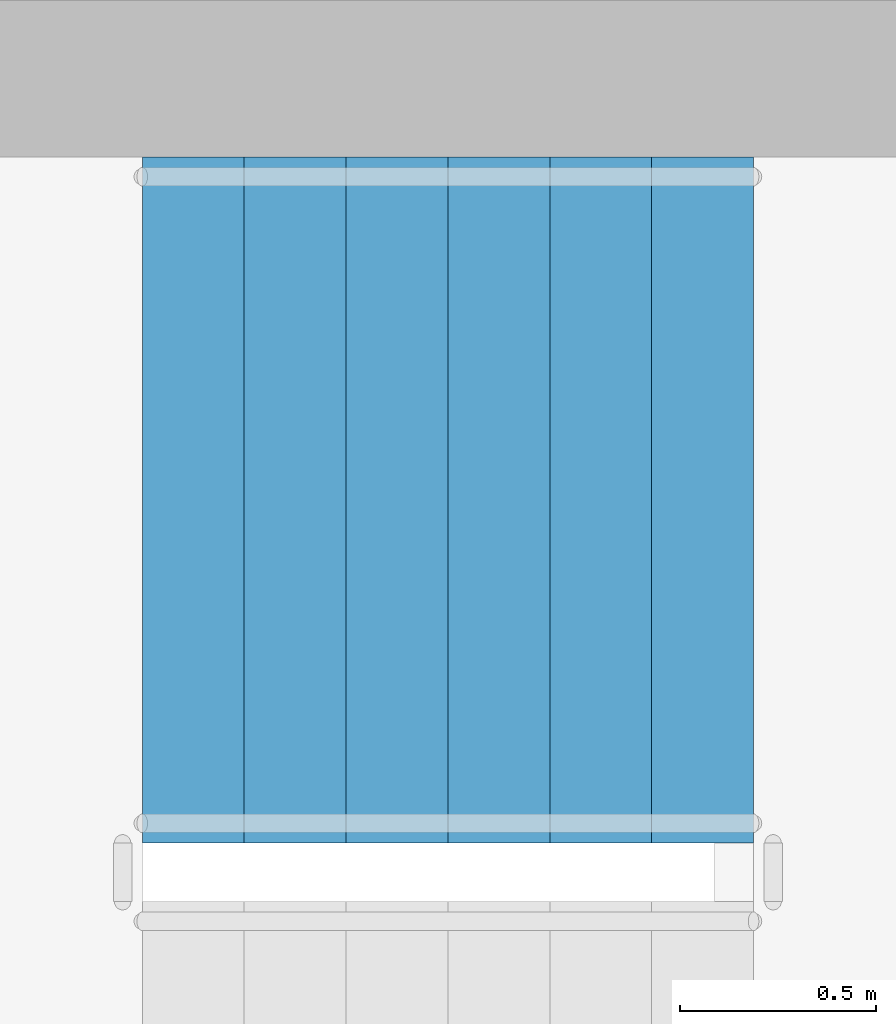
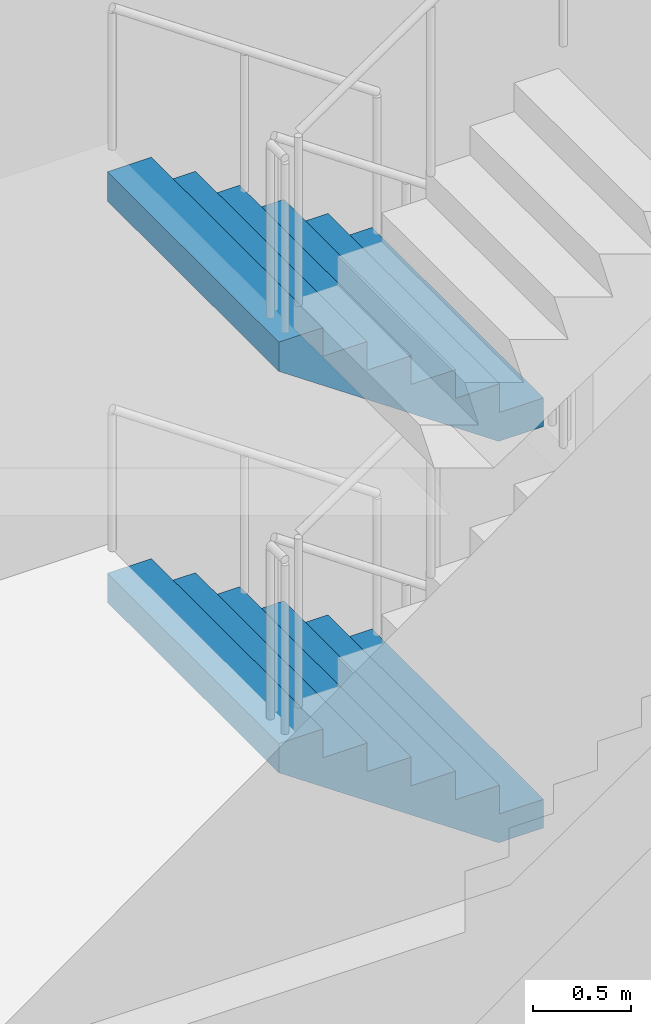
# One storey, part 31 of 59: 2 stair flights, 1 element without a shape of its own.
"""IFC4 building model written with IfcOpenShell, lengths in metres."""

from ifc_helpers import new_model, si_unit, direction, frame, origin, place, context, subcontext, project, spatial, faceted_brep, material, type_object, element, aggregate, save


model = new_model("IFC4")

# Units and contexts
model_context = context("Model", 3, precision=1e-05, world=origin(), true_north=direction((0.0, 1.0)))
body_context = subcontext(model_context, "Body", "Model", "MODEL_VIEW")
ifc_project = project(units=[si_unit("LENGTHUNIT", "METRE"), si_unit("AREAUNIT", "SQUARE_METRE"), si_unit("VOLUMEUNIT", "CUBIC_METRE"), si_unit("PLANEANGLEUNIT", "RADIAN"), si_unit("MASSUNIT", "GRAM", prefix="KILO")], contexts=[model_context])

# Site, building, storey
site_placement = place(None, origin())
site = spatial("IfcSite", under=ifc_project, at=site_placement, CompositionType="ELEMENT")
building_placement = place(site_placement, origin())
building = spatial("IfcBuilding", under=site, at=building_placement, Name="Ipe Terrace Towers", CompositionType="ELEMENT")
storey_placement = place(building_placement, frame((0.0, 0.0, 6.0)))
storey = spatial("IfcBuildingStorey", under=building, at=storey_placement, Name="L01", CompositionType="ELEMENT", Elevation=6.0)

# Stair, stair flights
ifc_material_1 = material(Name="Concrete C30/37", Category="concrete")
stair_type = type_object("IfcStairType", Name="Protected exit stair", PredefinedType="HALF_TURN_STAIR", material=ifc_material_1)
stair_placement = place(storey_placement, origin())
stair = element("IfcStair", 1, at=stair_placement, inside=storey, type_object=stair_type, Name="L01 Exit stair T1-C2", PredefinedType="HALF_TURN_STAIR")
ifc_material_2 = material(Name="Concrete C30/37", Category="concrete")
stair_flight_type = type_object("IfcStairFlightType", Name="Exit stair flight 1750", PredefinedType="STRAIGHT", material=ifc_material_2)
stair_flight_1_placement = place(storey_placement, frame((-45.699951171875, -2.77490234375, 0.0), z_axis=(0.0, 0.0, 1.0), x_axis=(-1.0, 0.0, 0.0)))
stair_flight_1 = element("IfcStairFlight", 2, at=stair_flight_1_placement, type_object=stair_flight_type, Name="T1-ST2 flight 1", NumberOfRisers=7, NumberOfTreads=6, PredefinedType="STRAIGHT", RiserHeight=0.178571429, TreadLength=0.26, context=body_context, shape_type="Brep", body=[
    faceted_brep([(0.264892578125, -0.875, 0.0), (1.56005859375, -0.875, 0.8896484375), (1.56005859375, -0.875, 1.071533203125), (1.300048828125, -0.875, 1.071533203125), (1.300048828125, -0.875, 0.892822265625), (1.0400390625, -0.875, 0.892822265625), (1.0400390625, -0.875, 0.71435546875), (0.780029296875, -0.875, 0.71435546875), (0.780029296875, -0.875, 0.53564453125), (0.52001953125, -0.875, 0.53564453125), (0.52001953125, -0.875, 0.357177734375), (0.260009765625, -0.875, 0.357177734375), (0.260009765625, -0.875, 0.178466796875), (0.0, -0.875, 0.178466796875), (0.0, -0.875, 0.0), (0.0, 0.875, 0.0), (0.0, 0.875, 0.178466796875), (0.260009765625, 0.875, 0.178466796875), (0.260009765625, 0.875, 0.357177734375), (0.52001953125, 0.875, 0.357177734375), (0.52001953125, 0.875, 0.53564453125), (0.780029296875, 0.875, 0.53564453125), (0.780029296875, 0.875, 0.71435546875), (1.0400390625, 0.875, 0.71435546875), (1.0400390625, 0.875, 0.892822265625), (1.300048828125, 0.875, 0.892822265625), (1.300048828125, 0.875, 1.071533203125), (1.56005859375, 0.875, 1.071533203125), (1.56005859375, 0.875, 0.8896484375), (0.264892578125, 0.875, 0.0), (0.0, -0.300048828125, 0.178466796875), (0.0, -0.1201171875, 0.178466796875), (0.0, -0.06005859375, 0.178466796875), (0.0, -0.030029296875, 0.178466796875), (0.0, -0.010009765625, 0.178466796875), (0.0, 0.0, 0.178466796875), (0.0, 0.010009765625, 0.178466796875), (0.0, 0.030029296875, 0.178466796875), (0.0, 0.06005859375, 0.178466796875), (0.0, 0.1201171875, 0.178466796875), (0.0, 0.300048828125, 0.178466796875), (0.0, 0.300048828125, 0.0), (0.0, 0.1201171875, 0.0), (0.0, 0.06005859375, 0.0), (0.0, 0.030029296875, 0.0), (0.0, 0.010009765625, 0.0), (0.0, 0.0, 0.0), (0.0, -0.010009765625, 0.0), (0.0, -0.030029296875, 0.0), (0.0, -0.06005859375, 0.0), (0.0, -0.1201171875, 0.0), (0.0, -0.300048828125, 0.0), (0.260009765625, -0.300048828125, 0.178466796875), (0.260009765625, -0.1201171875, 0.178466796875), (0.260009765625, -0.06005859375, 0.178466796875), (0.260009765625, -0.030029296875, 0.178466796875), (0.260009765625, -0.010009765625, 0.178466796875), (0.260009765625, 0.0, 0.178466796875), (0.260009765625, 0.010009765625, 0.178466796875), (0.260009765625, 0.030029296875, 0.178466796875), (0.260009765625, 0.06005859375, 0.178466796875), (0.260009765625, 0.1201171875, 0.178466796875), (0.260009765625, 0.300048828125, 0.178466796875), (0.260009765625, -0.300048828125, 0.357177734375), (0.260009765625, -0.1201171875, 0.357177734375), (0.260009765625, -0.06005859375, 0.357177734375), (0.260009765625, -0.030029296875, 0.357177734375), (0.260009765625, -0.010009765625, 0.357177734375), (0.260009765625, 0.0, 0.357177734375), (0.260009765625, 0.010009765625, 0.357177734375), (0.260009765625, 0.030029296875, 0.357177734375), (0.260009765625, 0.06005859375, 0.357177734375), (0.260009765625, 0.1201171875, 0.357177734375), (0.260009765625, 0.300048828125, 0.357177734375), (0.52001953125, -0.300048828125, 0.357177734375), (0.52001953125, -0.1201171875, 0.357177734375), (0.52001953125, -0.06005859375, 0.357177734375), (0.52001953125, -0.030029296875, 0.357177734375), (0.52001953125, -0.010009765625, 0.357177734375), (0.52001953125, 0.0, 0.357177734375), (0.52001953125, 0.010009765625, 0.357177734375), (0.52001953125, 0.030029296875, 0.357177734375), (0.52001953125, 0.06005859375, 0.357177734375), (0.52001953125, 0.1201171875, 0.357177734375), (0.52001953125, 0.300048828125, 0.357177734375), (0.52001953125, -0.300048828125, 0.53564453125), (0.52001953125, -0.1201171875, 0.53564453125), (0.52001953125, -0.06005859375, 0.53564453125), (0.52001953125, -0.030029296875, 0.53564453125), (0.52001953125, -0.010009765625, 0.53564453125), (0.52001953125, 0.0, 0.53564453125), (0.52001953125, 0.010009765625, 0.53564453125), (0.52001953125, 0.030029296875, 0.53564453125), (0.52001953125, 0.06005859375, 0.53564453125), (0.52001953125, 0.1201171875, 0.53564453125), (0.52001953125, 0.300048828125, 0.53564453125), (0.780029296875, -0.300048828125, 0.53564453125), (0.780029296875, -0.1201171875, 0.53564453125), (0.780029296875, -0.06005859375, 0.53564453125), (0.780029296875, -0.030029296875, 0.53564453125), (0.780029296875, -0.010009765625, 0.53564453125), (0.780029296875, 0.0, 0.53564453125), (0.780029296875, 0.010009765625, 0.53564453125), (0.780029296875, 0.030029296875, 0.53564453125), (0.780029296875, 0.06005859375, 0.53564453125), (0.780029296875, 0.1201171875, 0.53564453125), (0.780029296875, 0.300048828125, 0.53564453125), (0.780029296875, -0.300048828125, 0.71435546875), (0.780029296875, -0.1201171875, 0.71435546875), (0.780029296875, -0.06005859375, 0.71435546875), (0.780029296875, -0.030029296875, 0.71435546875), (0.780029296875, -0.010009765625, 0.71435546875), (0.780029296875, 0.0, 0.71435546875), (0.780029296875, 0.010009765625, 0.71435546875), (0.780029296875, 0.030029296875, 0.71435546875), (0.780029296875, 0.06005859375, 0.71435546875), (0.780029296875, 0.1201171875, 0.71435546875), (0.780029296875, 0.300048828125, 0.71435546875), (1.0400390625, -0.300048828125, 0.71435546875), (1.0400390625, -0.1201171875, 0.71435546875), (1.0400390625, -0.06005859375, 0.71435546875), (1.0400390625, -0.030029296875, 0.71435546875), (1.0400390625, -0.010009765625, 0.71435546875), (1.0400390625, 0.0, 0.71435546875), (1.0400390625, 0.010009765625, 0.71435546875), (1.0400390625, 0.030029296875, 0.71435546875), (1.0400390625, 0.06005859375, 0.71435546875), (1.0400390625, 0.1201171875, 0.71435546875), (1.0400390625, 0.300048828125, 0.71435546875), (1.0400390625, -0.300048828125, 0.892822265625), (1.0400390625, -0.1201171875, 0.892822265625), (1.0400390625, -0.06005859375, 0.892822265625), (1.0400390625, -0.030029296875, 0.892822265625), (1.0400390625, -0.010009765625, 0.892822265625), (1.0400390625, 0.0, 0.892822265625), (1.0400390625, 0.010009765625, 0.892822265625), (1.0400390625, 0.030029296875, 0.892822265625), (1.0400390625, 0.06005859375, 0.892822265625), (1.0400390625, 0.1201171875, 0.892822265625), (1.0400390625, 0.300048828125, 0.892822265625), (1.300048828125, -0.300048828125, 0.892822265625), (1.300048828125, -0.1201171875, 0.892822265625), (1.300048828125, -0.06005859375, 0.892822265625), (1.300048828125, -0.030029296875, 0.892822265625), (1.300048828125, -0.010009765625, 0.892822265625), (1.300048828125, 0.0, 0.892822265625), (1.300048828125, 0.010009765625, 0.892822265625), (1.300048828125, 0.030029296875, 0.892822265625), (1.300048828125, 0.06005859375, 0.892822265625), (1.300048828125, 0.1201171875, 0.892822265625), (1.300048828125, 0.300048828125, 0.892822265625), (1.300048828125, -0.300048828125, 1.071533203125), (1.300048828125, -0.1201171875, 1.071533203125), (1.300048828125, -0.06005859375, 1.071533203125), (1.300048828125, -0.030029296875, 1.071533203125), (1.300048828125, -0.010009765625, 1.071533203125), (1.300048828125, 0.0, 1.071533203125), (1.300048828125, 0.010009765625, 1.071533203125), (1.300048828125, 0.030029296875, 1.071533203125), (1.300048828125, 0.06005859375, 1.071533203125), (1.300048828125, 0.1201171875, 1.071533203125), (1.300048828125, 0.300048828125, 1.071533203125), (1.56005859375, -0.300048828125, 1.071533203125), (1.56005859375, -0.1201171875, 1.071533203125), (1.56005859375, -0.06005859375, 1.071533203125), (1.56005859375, -0.030029296875, 1.071533203125), (1.56005859375, -0.010009765625, 1.071533203125), (1.56005859375, 0.0, 1.071533203125), (1.56005859375, 0.010009765625, 1.071533203125), (1.56005859375, 0.030029296875, 1.071533203125), (1.56005859375, 0.06005859375, 1.071533203125), (1.56005859375, 0.1201171875, 1.071533203125), (1.56005859375, 0.300048828125, 1.071533203125), (1.56005859375, -0.300048828125, 0.8896484375), (1.56005859375, -0.1201171875, 0.8896484375), (1.56005859375, -0.06005859375, 0.8896484375), (1.56005859375, -0.030029296875, 0.8896484375), (1.56005859375, -0.010009765625, 0.8896484375), (1.56005859375, 0.0, 0.8896484375), (1.56005859375, 0.010009765625, 0.8896484375), (1.56005859375, 0.030029296875, 0.8896484375), (1.56005859375, 0.06005859375, 0.8896484375), (1.56005859375, 0.1201171875, 0.8896484375), (1.56005859375, 0.300048828125, 0.8896484375), (0.264892578125, -0.300048828125, 0.0), (0.264892578125, -0.1201171875, 0.0), (0.264892578125, -0.06005859375, 0.0), (0.264892578125, -0.030029296875, 0.0), (0.264892578125, -0.010009765625, 0.0), (0.264892578125, 0.0, 0.0), (0.264892578125, 0.010009765625, 0.0), (0.264892578125, 0.030029296875, 0.0), (0.264892578125, 0.06005859375, 0.0), (0.264892578125, 0.1201171875, 0.0), (0.264892578125, 0.300048828125, 0.0)], [[[0, 1, 2, 3, 4, 5, 6, 7, 8, 9, 10, 11, 12, 13, 14]], [[15, 16, 17, 18, 19, 20, 21, 22, 23, 24, 25, 26, 27, 28, 29]], [[13, 30, 31, 32, 33, 34, 35, 36, 37, 38, 39, 40, 16, 15, 41, 42, 43, 44, 45, 46, 47, 48, 49, 50, 51, 14]], [[12, 52, 53, 54, 55, 56, 57, 58, 59, 60, 61, 62, 17, 16, 40, 39, 38, 37, 36, 35, 34, 33, 32, 31, 30, 13]], [[11, 63, 64, 65, 66, 67, 68, 69, 70, 71, 72, 73, 18, 17, 62, 61, 60, 59, 58, 57, 56, 55, 54, 53, 52, 12]], [[10, 74, 75, 76, 77, 78, 79, 80, 81, 82, 83, 84, 19, 18, 73, 72, 71, 70, 69, 68, 67, 66, 65, 64, 63, 11]], [[9, 85, 86, 87, 88, 89, 90, 91, 92, 93, 94, 95, 20, 19, 84, 83, 82, 81, 80, 79, 78, 77, 76, 75, 74, 10]], [[8, 96, 97, 98, 99, 100, 101, 102, 103, 104, 105, 106, 21, 20, 95, 94, 93, 92, 91, 90, 89, 88, 87, 86, 85, 9]], [[7, 107, 108, 109, 110, 111, 112, 113, 114, 115, 116, 117, 22, 21, 106, 105, 104, 103, 102, 101, 100, 99, 98, 97, 96, 8]], [[6, 118, 119, 120, 121, 122, 123, 124, 125, 126, 127, 128, 23, 22, 117, 116, 115, 114, 113, 112, 111, 110, 109, 108, 107, 7]], [[5, 129, 130, 131, 132, 133, 134, 135, 136, 137, 138, 139, 24, 23, 128, 127, 126, 125, 124, 123, 122, 121, 120, 119, 118, 6]], [[4, 140, 141, 142, 143, 144, 145, 146, 147, 148, 149, 150, 25, 24, 139, 138, 137, 136, 135, 134, 133, 132, 131, 130, 129, 5]], [[3, 151, 152, 153, 154, 155, 156, 157, 158, 159, 160, 161, 26, 25, 150, 149, 148, 147, 146, 145, 144, 143, 142, 141, 140, 4]], [[2, 162, 163, 164, 165, 166, 167, 168, 169, 170, 171, 172, 27, 26, 161, 160, 159, 158, 157, 156, 155, 154, 153, 152, 151, 3]], [[1, 173, 174, 175, 176, 177, 178, 179, 180, 181, 182, 183, 28, 27, 172, 171, 170, 169, 168, 167, 166, 165, 164, 163, 162, 2]], [[0, 184, 185, 186, 187, 188, 189, 190, 191, 192, 193, 194, 29, 28, 183, 182, 181, 180, 179, 178, 177, 176, 175, 174, 173, 1]], [[14, 51, 50, 49, 48, 47, 46, 45, 44, 43, 42, 41, 15, 29, 194, 193, 192, 191, 190, 189, 188, 187, 186, 185, 184, 0]]]),
])
stair_flight_2_placement = place(storey_placement, frame((-45.699951171875, -2.77490234375, 2.5), z_axis=(0.0, 0.0, 1.0), x_axis=(-1.0, 0.0, 0.0)))
stair_flight_2 = element("IfcStairFlight", 3, at=stair_flight_2_placement, type_object=stair_flight_type, Name="T1-ST2 flight 3", NumberOfRisers=7, NumberOfTreads=6, PredefinedType="STRAIGHT", RiserHeight=0.178571429, TreadLength=0.26, context=body_context, shape_type="Brep", body=[
    faceted_brep([(0.264892578125, -0.875, 0.0), (1.56005859375, -0.875, 0.8896484375), (1.56005859375, -0.875, 1.071533203125), (1.300048828125, -0.875, 1.071533203125), (1.300048828125, -0.875, 0.892822265625), (1.0400390625, -0.875, 0.892822265625), (1.0400390625, -0.875, 0.71435546875), (0.780029296875, -0.875, 0.71435546875), (0.780029296875, -0.875, 0.53564453125), (0.52001953125, -0.875, 0.53564453125), (0.52001953125, -0.875, 0.357177734375), (0.260009765625, -0.875, 0.357177734375), (0.260009765625, -0.875, 0.178466796875), (0.0, -0.875, 0.178466796875), (0.0, -0.875, 0.0), (0.0, 0.875, 0.0), (0.0, 0.875, 0.178466796875), (0.260009765625, 0.875, 0.178466796875), (0.260009765625, 0.875, 0.357177734375), (0.52001953125, 0.875, 0.357177734375), (0.52001953125, 0.875, 0.53564453125), (0.780029296875, 0.875, 0.53564453125), (0.780029296875, 0.875, 0.71435546875), (1.0400390625, 0.875, 0.71435546875), (1.0400390625, 0.875, 0.892822265625), (1.300048828125, 0.875, 0.892822265625), (1.300048828125, 0.875, 1.071533203125), (1.56005859375, 0.875, 1.071533203125), (1.56005859375, 0.875, 0.8896484375), (0.264892578125, 0.875, 0.0), (0.0, -0.300048828125, 0.178466796875), (0.0, -0.1201171875, 0.178466796875), (0.0, -0.06005859375, 0.178466796875), (0.0, -0.030029296875, 0.178466796875), (0.0, -0.010009765625, 0.178466796875), (0.0, 0.0, 0.178466796875), (0.0, 0.010009765625, 0.178466796875), (0.0, 0.030029296875, 0.178466796875), (0.0, 0.06005859375, 0.178466796875), (0.0, 0.1201171875, 0.178466796875), (0.0, 0.300048828125, 0.178466796875), (0.0, 0.300048828125, 0.0), (0.0, 0.1201171875, 0.0), (0.0, 0.06005859375, 0.0), (0.0, 0.030029296875, 0.0), (0.0, 0.010009765625, 0.0), (0.0, 0.0, 0.0), (0.0, -0.010009765625, 0.0), (0.0, -0.030029296875, 0.0), (0.0, -0.06005859375, 0.0), (0.0, -0.1201171875, 0.0), (0.0, -0.300048828125, 0.0), (0.260009765625, -0.300048828125, 0.178466796875), (0.260009765625, -0.1201171875, 0.178466796875), (0.260009765625, -0.06005859375, 0.178466796875), (0.260009765625, -0.030029296875, 0.178466796875), (0.260009765625, -0.010009765625, 0.178466796875), (0.260009765625, 0.0, 0.178466796875), (0.260009765625, 0.010009765625, 0.178466796875), (0.260009765625, 0.030029296875, 0.178466796875), (0.260009765625, 0.06005859375, 0.178466796875), (0.260009765625, 0.1201171875, 0.178466796875), (0.260009765625, 0.300048828125, 0.178466796875), (0.260009765625, -0.300048828125, 0.357177734375), (0.260009765625, -0.1201171875, 0.357177734375), (0.260009765625, -0.06005859375, 0.357177734375), (0.260009765625, -0.030029296875, 0.357177734375), (0.260009765625, -0.010009765625, 0.357177734375), (0.260009765625, 0.0, 0.357177734375), (0.260009765625, 0.010009765625, 0.357177734375), (0.260009765625, 0.030029296875, 0.357177734375), (0.260009765625, 0.06005859375, 0.357177734375), (0.260009765625, 0.1201171875, 0.357177734375), (0.260009765625, 0.300048828125, 0.357177734375), (0.52001953125, -0.300048828125, 0.357177734375), (0.52001953125, -0.1201171875, 0.357177734375), (0.52001953125, -0.06005859375, 0.357177734375), (0.52001953125, -0.030029296875, 0.357177734375), (0.52001953125, -0.010009765625, 0.357177734375), (0.52001953125, 0.0, 0.357177734375), (0.52001953125, 0.010009765625, 0.357177734375), (0.52001953125, 0.030029296875, 0.357177734375), (0.52001953125, 0.06005859375, 0.357177734375), (0.52001953125, 0.1201171875, 0.357177734375), (0.52001953125, 0.300048828125, 0.357177734375), (0.52001953125, -0.300048828125, 0.53564453125), (0.52001953125, -0.1201171875, 0.53564453125), (0.52001953125, -0.06005859375, 0.53564453125), (0.52001953125, -0.030029296875, 0.53564453125), (0.52001953125, -0.010009765625, 0.53564453125), (0.52001953125, 0.0, 0.53564453125), (0.52001953125, 0.010009765625, 0.53564453125), (0.52001953125, 0.030029296875, 0.53564453125), (0.52001953125, 0.06005859375, 0.53564453125), (0.52001953125, 0.1201171875, 0.53564453125), (0.52001953125, 0.300048828125, 0.53564453125), (0.780029296875, -0.300048828125, 0.53564453125), (0.780029296875, -0.1201171875, 0.53564453125), (0.780029296875, -0.06005859375, 0.53564453125), (0.780029296875, -0.030029296875, 0.53564453125), (0.780029296875, -0.010009765625, 0.53564453125), (0.780029296875, 0.0, 0.53564453125), (0.780029296875, 0.010009765625, 0.53564453125), (0.780029296875, 0.030029296875, 0.53564453125), (0.780029296875, 0.06005859375, 0.53564453125), (0.780029296875, 0.1201171875, 0.53564453125), (0.780029296875, 0.300048828125, 0.53564453125), (0.780029296875, -0.300048828125, 0.71435546875), (0.780029296875, -0.1201171875, 0.71435546875), (0.780029296875, -0.06005859375, 0.71435546875), (0.780029296875, -0.030029296875, 0.71435546875), (0.780029296875, -0.010009765625, 0.71435546875), (0.780029296875, 0.0, 0.71435546875), (0.780029296875, 0.010009765625, 0.71435546875), (0.780029296875, 0.030029296875, 0.71435546875), (0.780029296875, 0.06005859375, 0.71435546875), (0.780029296875, 0.1201171875, 0.71435546875), (0.780029296875, 0.300048828125, 0.71435546875), (1.0400390625, -0.300048828125, 0.71435546875), (1.0400390625, -0.1201171875, 0.71435546875), (1.0400390625, -0.06005859375, 0.71435546875), (1.0400390625, -0.030029296875, 0.71435546875), (1.0400390625, -0.010009765625, 0.71435546875), (1.0400390625, 0.0, 0.71435546875), (1.0400390625, 0.010009765625, 0.71435546875), (1.0400390625, 0.030029296875, 0.71435546875), (1.0400390625, 0.06005859375, 0.71435546875), (1.0400390625, 0.1201171875, 0.71435546875), (1.0400390625, 0.300048828125, 0.71435546875), (1.0400390625, -0.300048828125, 0.892822265625), (1.0400390625, -0.1201171875, 0.892822265625), (1.0400390625, -0.06005859375, 0.892822265625), (1.0400390625, -0.030029296875, 0.892822265625), (1.0400390625, -0.010009765625, 0.892822265625), (1.0400390625, 0.0, 0.892822265625), (1.0400390625, 0.010009765625, 0.892822265625), (1.0400390625, 0.030029296875, 0.892822265625), (1.0400390625, 0.06005859375, 0.892822265625), (1.0400390625, 0.1201171875, 0.892822265625), (1.0400390625, 0.300048828125, 0.892822265625), (1.300048828125, -0.300048828125, 0.892822265625), (1.300048828125, -0.1201171875, 0.892822265625), (1.300048828125, -0.06005859375, 0.892822265625), (1.300048828125, -0.030029296875, 0.892822265625), (1.300048828125, -0.010009765625, 0.892822265625), (1.300048828125, 0.0, 0.892822265625), (1.300048828125, 0.010009765625, 0.892822265625), (1.300048828125, 0.030029296875, 0.892822265625), (1.300048828125, 0.06005859375, 0.892822265625), (1.300048828125, 0.1201171875, 0.892822265625), (1.300048828125, 0.300048828125, 0.892822265625), (1.300048828125, -0.300048828125, 1.071533203125), (1.300048828125, -0.1201171875, 1.071533203125), (1.300048828125, -0.06005859375, 1.071533203125), (1.300048828125, -0.030029296875, 1.071533203125), (1.300048828125, -0.010009765625, 1.071533203125), (1.300048828125, 0.0, 1.071533203125), (1.300048828125, 0.010009765625, 1.071533203125), (1.300048828125, 0.030029296875, 1.071533203125), (1.300048828125, 0.06005859375, 1.071533203125), (1.300048828125, 0.1201171875, 1.071533203125), (1.300048828125, 0.300048828125, 1.071533203125), (1.56005859375, -0.300048828125, 1.071533203125), (1.56005859375, -0.1201171875, 1.071533203125), (1.56005859375, -0.06005859375, 1.071533203125), (1.56005859375, -0.030029296875, 1.071533203125), (1.56005859375, -0.010009765625, 1.071533203125), (1.56005859375, 0.0, 1.071533203125), (1.56005859375, 0.010009765625, 1.071533203125), (1.56005859375, 0.030029296875, 1.071533203125), (1.56005859375, 0.06005859375, 1.071533203125), (1.56005859375, 0.1201171875, 1.071533203125), (1.56005859375, 0.300048828125, 1.071533203125), (1.56005859375, -0.300048828125, 0.8896484375), (1.56005859375, -0.1201171875, 0.8896484375), (1.56005859375, -0.06005859375, 0.8896484375), (1.56005859375, -0.030029296875, 0.8896484375), (1.56005859375, -0.010009765625, 0.8896484375), (1.56005859375, 0.0, 0.8896484375), (1.56005859375, 0.010009765625, 0.8896484375), (1.56005859375, 0.030029296875, 0.8896484375), (1.56005859375, 0.06005859375, 0.8896484375), (1.56005859375, 0.1201171875, 0.8896484375), (1.56005859375, 0.300048828125, 0.8896484375), (0.264892578125, -0.300048828125, 0.0), (0.264892578125, -0.1201171875, 0.0), (0.264892578125, -0.06005859375, 0.0), (0.264892578125, -0.030029296875, 0.0), (0.264892578125, -0.010009765625, 0.0), (0.264892578125, 0.0, 0.0), (0.264892578125, 0.010009765625, 0.0), (0.264892578125, 0.030029296875, 0.0), (0.264892578125, 0.06005859375, 0.0), (0.264892578125, 0.1201171875, 0.0), (0.264892578125, 0.300048828125, 0.0)], [[[0, 1, 2, 3, 4, 5, 6, 7, 8, 9, 10, 11, 12, 13, 14]], [[15, 16, 17, 18, 19, 20, 21, 22, 23, 24, 25, 26, 27, 28, 29]], [[13, 30, 31, 32, 33, 34, 35, 36, 37, 38, 39, 40, 16, 15, 41, 42, 43, 44, 45, 46, 47, 48, 49, 50, 51, 14]], [[12, 52, 53, 54, 55, 56, 57, 58, 59, 60, 61, 62, 17, 16, 40, 39, 38, 37, 36, 35, 34, 33, 32, 31, 30, 13]], [[11, 63, 64, 65, 66, 67, 68, 69, 70, 71, 72, 73, 18, 17, 62, 61, 60, 59, 58, 57, 56, 55, 54, 53, 52, 12]], [[10, 74, 75, 76, 77, 78, 79, 80, 81, 82, 83, 84, 19, 18, 73, 72, 71, 70, 69, 68, 67, 66, 65, 64, 63, 11]], [[9, 85, 86, 87, 88, 89, 90, 91, 92, 93, 94, 95, 20, 19, 84, 83, 82, 81, 80, 79, 78, 77, 76, 75, 74, 10]], [[8, 96, 97, 98, 99, 100, 101, 102, 103, 104, 105, 106, 21, 20, 95, 94, 93, 92, 91, 90, 89, 88, 87, 86, 85, 9]], [[7, 107, 108, 109, 110, 111, 112, 113, 114, 115, 116, 117, 22, 21, 106, 105, 104, 103, 102, 101, 100, 99, 98, 97, 96, 8]], [[6, 118, 119, 120, 121, 122, 123, 124, 125, 126, 127, 128, 23, 22, 117, 116, 115, 114, 113, 112, 111, 110, 109, 108, 107, 7]], [[5, 129, 130, 131, 132, 133, 134, 135, 136, 137, 138, 139, 24, 23, 128, 127, 126, 125, 124, 123, 122, 121, 120, 119, 118, 6]], [[4, 140, 141, 142, 143, 144, 145, 146, 147, 148, 149, 150, 25, 24, 139, 138, 137, 136, 135, 134, 133, 132, 131, 130, 129, 5]], [[3, 151, 152, 153, 154, 155, 156, 157, 158, 159, 160, 161, 26, 25, 150, 149, 148, 147, 146, 145, 144, 143, 142, 141, 140, 4]], [[2, 162, 163, 164, 165, 166, 167, 168, 169, 170, 171, 172, 27, 26, 161, 160, 159, 158, 157, 156, 155, 154, 153, 152, 151, 3]], [[1, 173, 174, 175, 176, 177, 178, 179, 180, 181, 182, 183, 28, 27, 172, 171, 170, 169, 168, 167, 166, 165, 164, 163, 162, 2]], [[0, 184, 185, 186, 187, 188, 189, 190, 191, 192, 193, 194, 29, 28, 183, 182, 181, 180, 179, 178, 177, 176, 175, 174, 173, 1]], [[14, 51, 50, 49, 48, 47, 46, 45, 44, 43, 42, 41, 15, 29, 194, 193, 192, 191, 190, 189, 188, 187, 186, 185, 184, 0]]]),
])
aggregate(stair, [stair_flight_1, stair_flight_2])

save(model, "model.ifc")
